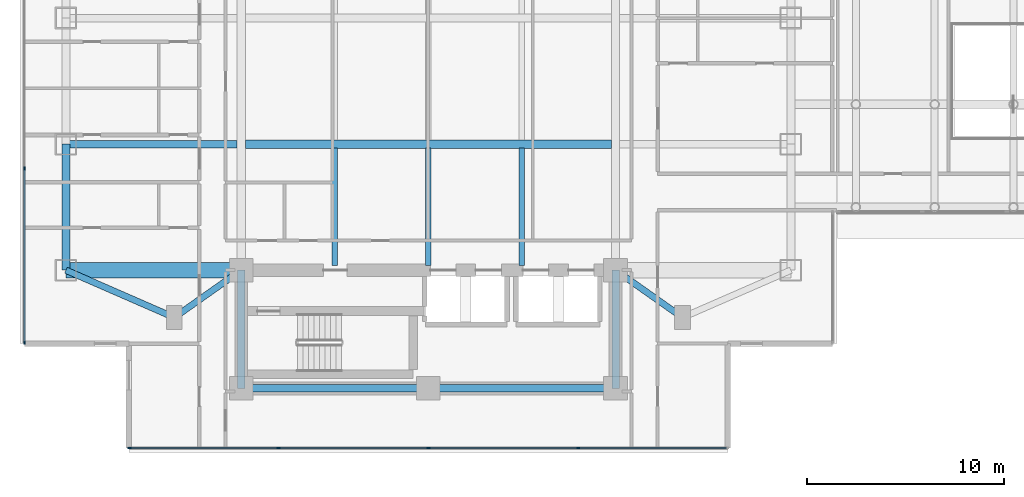
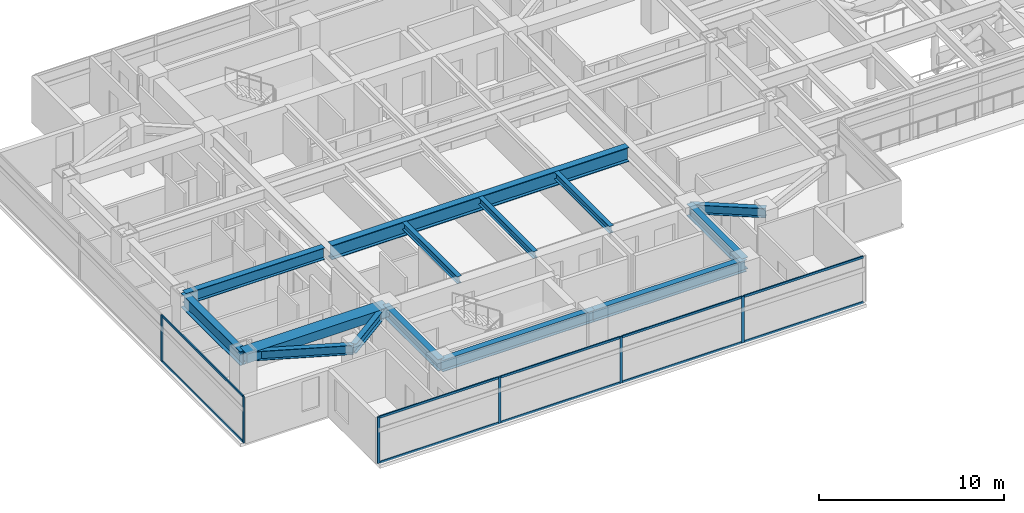
# One storey, part 2 of 28: 16 members, 14 beams, 2 elements without a shape of their own.
"""IFC4 building model written with IfcOpenShell, lengths in metres."""

from ifc_helpers import new_model, si_unit, direction, frame, origin, origin_2d, place, context, subcontext, project, spatial, rectangle, i_section, extrude, material, material_profile, profile_set, type_object, element, aggregate, save


model = new_model("IFC4")

# Units and contexts
model_context = context("Model", 3, precision=1e-05, world=origin(), true_north=direction((0.0, 1.0)))
body_context = subcontext(model_context, "Body", "Model", "MODEL_VIEW")
ifc_project = project(units=[si_unit("LENGTHUNIT", "METRE"), si_unit("AREAUNIT", "SQUARE_METRE"), si_unit("VOLUMEUNIT", "CUBIC_METRE"), si_unit("PLANEANGLEUNIT", "RADIAN"), si_unit("MASSUNIT", "GRAM", prefix="KILO")], contexts=[model_context])

# Site, building, storey
site_placement = place(None, origin())
site = spatial("IfcSite", under=ifc_project, at=site_placement, CompositionType="ELEMENT")
building_placement = place(site_placement, origin())
building = spatial("IfcBuilding", under=site, at=building_placement, Name="Mirazonda Arch Towers", CompositionType="ELEMENT")
storey_placement = place(building_placement, frame((0.0, 0.0, 91.699951171875)))
storey = spatial("IfcBuildingStorey", under=building, at=storey_placement, Name="L25", CompositionType="ELEMENT", Elevation=91.699951171875)

# Beams
ifc_material_1 = material(Name="Steel ASTM A992 Grade 50", Category="steel")
ifc_material_profile_1 = material_profile(ifc_material_1, i_section(OverallWidth=0.41796875, OverallDepth=0.927001953125, WebThickness=0.019287109375, FlangeThickness=0.031982421875, at=origin_2d()), Name="W36X231")
ifc_profile_set_1 = profile_set([ifc_material_profile_1], Name="Steel ASTM A992 Grade 50")
beam_type_1 = type_object("IfcBeamType", Name="BM-EXT-W36X231", PredefinedType="USERDEFINED", material=ifc_profile_set_1)
beam_1_placement = place(storey_placement, frame((2.10009765625, 18.39990234375, 2.616455078125), z_axis=(0.0, 1.0, 0.0), x_axis=(-1.0, 0.0, 0.0)))
element("IfcBeam", 1, at=beam_1_placement, inside=storey, type_object=beam_type_1, Name="L25 Floor Beam BM-T1-L25-NS-W-18", ObjectType="GIRDER", PredefinedType="USERDEFINED", context=body_context, shape_type="SweptSolid", body=[
    extrude(i_section(OverallWidth=0.41796875, OverallDepth=0.927001953125, WebThickness=0.019287109375, FlangeThickness=0.031982421875, at=origin_2d()), origin(), (0.0, 0.0, 1.0), 6.400146484375),
])
ifc_material_profile_2 = material_profile(ifc_material_1, i_section(OverallWidth=0.280029296875, OverallDepth=0.462890625, WebThickness=0.0107421875, FlangeThickness=0.017333984375, at=origin_2d()), Name="W18X76")
ifc_profile_set_2 = profile_set([ifc_material_profile_2], Name="Steel ASTM A992 Grade 50")
beam_type_2 = type_object("IfcBeamType", Name="BM-INT-W18X76", PredefinedType="JOIST", material=ifc_profile_set_2)
for number, where, z_axis, x_axis, name in (
    (2, (15.75, 18.639892578125, 2.8486328125), (0.0, 1.0, 0.0), (-1.0, 0.0, 0.0), "L25 Floor Beam BM-T1-L25-J-157-18"),
    (3, (20.5, 18.639892578125, 2.8486328125), (0.0, 1.0, 0.0), (-1.0, 0.0, 0.0), "L25 Floor Beam BM-T1-L25-J-205-18"),
    (4, (25.25, 18.639892578125, 2.8486328125), (0.0, 1.0, 0.0), (-1.0, 0.0, 0.0), "L25 Floor Beam BM-T1-L25-J-252-18"),
):
    element("IfcBeam", number, at=place(storey_placement, frame(where, z_axis=z_axis, x_axis=x_axis)), inside=storey, type_object=beam_type_2, Name=name, PredefinedType="JOIST", context=body_context, shape_type="SweptSolid", body=[
        extrude(i_section(OverallWidth=0.280029296875, OverallDepth=0.462890625, WebThickness=0.0107421875, FlangeThickness=0.017333984375, at=origin_2d()), origin(), (0.0, 0.0, 1.0), 5.95263671875),
    ])
ifc_material_profile_3 = material_profile(ifc_material_1, i_section(OverallWidth=0.324951171875, OverallDepth=0.615966796875, WebThickness=0.013916015625, FlangeThickness=0.021484375, at=origin_2d()), Name="W24X117")
ifc_profile_set_3 = profile_set([ifc_material_profile_3], Name="Steel ASTM A992 Grade 50")
beam_type_3 = type_object("IfcBeamType", Name="BM-INT-W24X117", PredefinedType="BEAM", material=ifc_profile_set_3)
beam_2_placement = place(storey_placement, frame((7.60009765625, 16.0, 2.77197265625), z_axis=(0.816971114901, 0.576678591087, 0.0), x_axis=(-0.576678591087, 0.816971114901, 0.0)))
element("IfcBeam", 5, at=beam_2_placement, inside=storey, type_object=beam_type_3, Name="L25 Floor Beam BM-T1-L25-PL-SW1", PredefinedType="BEAM", context=body_context, shape_type="SweptSolid", body=[
    extrude(i_section(OverallWidth=0.324951171875, OverallDepth=0.615966796875, WebThickness=0.013916015625, FlangeThickness=0.021484375, at=origin_2d()), origin(), (0.0, 0.0, 1.0), 4.16162109375),
])
beam_3_placement = place(storey_placement, frame((7.60009765625, 16.0, 2.77197265625), z_axis=(-0.916545343703, 0.399930785183, 0.0), x_axis=(-0.399930785183, -0.916545343703, 0.0)))
element("IfcBeam", 6, at=beam_3_placement, inside=storey, type_object=beam_type_3, Name="L25 Floor Beam BM-T1-L25-PL-SW2", PredefinedType="BEAM", context=body_context, shape_type="SweptSolid", body=[
    extrude(i_section(OverallWidth=0.324951171875, OverallDepth=0.615966796875, WebThickness=0.013916015625, FlangeThickness=0.021484375, at=origin_2d()), origin(), (0.0, 0.0, 1.0), 6.000732421875),
])
beam_4_placement = place(storey_placement, frame((33.39990234375, 16.0, 2.77197265625), z_axis=(-0.816971114901, 0.576678591087, 0.0), x_axis=(-0.576678591087, -0.816971114901, 0.0)))
element("IfcBeam", 7, at=beam_4_placement, inside=storey, type_object=beam_type_3, Name="L25 Floor Beam BM-T1-L25-PL-SE1", PredefinedType="BEAM", context=body_context, shape_type="SweptSolid", body=[
    extrude(i_section(OverallWidth=0.324951171875, OverallDepth=0.615966796875, WebThickness=0.013916015625, FlangeThickness=0.021484375, at=origin_2d()), origin(), (0.0, 0.0, 1.0), 4.16162109375),
])
ifc_material_profile_4 = material_profile(ifc_material_1, i_section(OverallWidth=0.381103515625, OverallDepth=0.77294921875, WebThickness=0.0166015625, FlangeThickness=0.027099609375, at=origin_2d()), Name="W30X173")
ifc_profile_set_4 = profile_set([ifc_material_profile_4], Name="Steel ASTM A992 Grade 50")
beam_type_4 = type_object("IfcBeamType", Name="BM-INT-W30X173", PredefinedType="USERDEFINED", material=ifc_profile_set_4)
beam_5_placement = place(storey_placement, frame((2.10009765625, 24.800048828125, 2.693603515625), z_axis=(1.0, 0.0, 0.0), x_axis=(0.0, 1.0, 0.0)))
element("IfcBeam", 8, at=beam_5_placement, inside=storey, type_object=beam_type_4, Name="L25 Floor Beam BM-T1-L25-GW2", ObjectType="GIRDER", PredefinedType="USERDEFINED", context=body_context, shape_type="SweptSolid", body=[
    extrude(i_section(OverallWidth=0.381103515625, OverallDepth=0.77294921875, WebThickness=0.0166015625, FlangeThickness=0.027099609375, at=origin_2d()), origin(), (0.0, 0.0, 1.0), 8.6884765625),
])
for number, where, z_axis, x_axis, name in (
    (9, (11.0, 12.39990234375, 2.693603515625), (1.0, 0.0, 0.0), (0.0, 1.0, 0.0), "L25 Floor Beam BM-T1-L25-CS1"),
    (10, (20.5, 12.39990234375, 2.693603515625), (1.0, 0.0, 0.0), (0.0, 1.0, 0.0), "L25 Floor Beam BM-T1-L25-CS2"),
):
    element("IfcBeam", number, at=place(storey_placement, frame(where, z_axis=z_axis, x_axis=x_axis)), inside=storey, type_object=beam_type_4, Name=name, ObjectType="GIRDER", PredefinedType="USERDEFINED", context=body_context, shape_type="SweptSolid", body=[
        extrude(i_section(OverallWidth=0.381103515625, OverallDepth=0.77294921875, WebThickness=0.0166015625, FlangeThickness=0.027099609375, at=origin_2d()), origin(), (0.0, 0.0, 1.0), 9.5),
    ])
for number, where, z_axis, x_axis, name in (
    (11, (11.0, 12.39990234375, 2.693603515625), (0.0, 1.0, 0.0), (-1.0, 0.0, 0.0), "L25 Floor Beam BM-T1-L25-CSW"),
    (12, (30.0, 12.39990234375, 2.693603515625), (0.0, 1.0, 0.0), (-1.0, 0.0, 0.0), "L25 Floor Beam BM-T1-L25-CSE"),
):
    element("IfcBeam", number, at=place(storey_placement, frame(where, z_axis=z_axis, x_axis=x_axis)), inside=storey, type_object=beam_type_4, Name=name, ObjectType="GIRDER", PredefinedType="USERDEFINED", context=body_context, shape_type="SweptSolid", body=[
        extrude(i_section(OverallWidth=0.381103515625, OverallDepth=0.77294921875, WebThickness=0.0166015625, FlangeThickness=0.027099609375, at=origin_2d()), origin(), (0.0, 0.0, 1.0), 6.0),
    ])
ifc_material_profile_5 = material_profile(ifc_material_1, i_section(OverallWidth=0.423095703125, OverallDepth=0.947998046875, WebThickness=0.02392578125, FlangeThickness=0.042724609375, at=origin_2d()), Name="W36X302")
ifc_profile_set_5 = profile_set([ifc_material_profile_5], Name="Steel ASTM A992 Grade 50")
beam_type_5 = type_object("IfcBeamType", Name="BM-INT-W36X302", PredefinedType="USERDEFINED", material=ifc_profile_set_5)
beam_6_placement = place(storey_placement, frame((11.21142578125, 24.800048828125, 2.60595703125), z_axis=(1.0, 0.0, 0.0), x_axis=(0.0, 1.0, 0.0)))
element("IfcBeam", 13, at=beam_6_placement, inside=storey, type_object=beam_type_5, Name="L25 Floor Beam BM-T1-L25-GC2", ObjectType="GIRDER", PredefinedType="USERDEFINED", context=body_context, shape_type="SweptSolid", body=[
    extrude(i_section(OverallWidth=0.423095703125, OverallDepth=0.947998046875, WebThickness=0.02392578125, FlangeThickness=0.042724609375, at=origin_2d()), origin(), (0.0, 0.0, 1.0), 18.5771484375),
])
ifc_material_2 = material(Name="Concrete C60/75", Category="concrete")
ifc_material_profile_6 = material_profile(ifc_material_2, rectangle(XDim=0.800048828125, YDim=0.60009765625, at=origin_2d()), Name="RCCB800x600")
ifc_profile_set_6 = profile_set([ifc_material_profile_6], Name="Concrete C60/75")
beam_type_6 = type_object("IfcBeamType", Name="CB-INT-RCCB800x600", PredefinedType="SPANDREL", material=ifc_profile_set_6)
beam_7_placement = place(storey_placement, frame((2.10009765625, 18.39990234375, 2.780029296875), z_axis=(1.0, 0.0, 0.0), x_axis=(0.0, 1.0, 0.0)))
element("IfcBeam", 14, at=beam_7_placement, inside=storey, type_object=beam_type_6, Name="L25 Floor Beam CBC-T1-L25-SW", PredefinedType="SPANDREL", context=body_context, shape_type="SweptSolid", body=[
    extrude(rectangle(XDim=0.800048828125, YDim=0.60009765625, at=origin_2d()), origin(), (0.0, 0.0, 1.0), 8.89990234375),
])

# Curtain wall, members
ifc_material_3 = material(Name="Anodised Aluminium and Low-E Glass", Category="aluminium")
curtain_wall_type = type_object("IfcCurtainWallType", Name="CW-HTL-UNIT", PredefinedType="NOTDEFINED", material=ifc_material_3)
curtain_wall_1_placement = place(storey_placement, origin())
curtain_wall_1 = element("IfcCurtainWall", 15, at=curtain_wall_1_placement, inside=storey, type_object=curtain_wall_type, Name="L25 T1 S Facade CW-L25-T1-S", PredefinedType="NOTDEFINED")
ifc_material_4 = material(Name="Anodised Aluminium Alloy", Category="aluminium")
ifc_material_profile_7 = material_profile(ifc_material_4, rectangle(XDim=0.074951171875, YDim=0.1650390625, at=origin_2d()), Name="ALU-MULL-75x165")
ifc_profile_set_7 = profile_set([ifc_material_profile_7], Name="Anodised Aluminium Alloy")
member_type_1 = type_object("IfcMemberType", Name="MULL-CW-HTL-UNIT", PredefinedType="MULLION", material=ifc_profile_set_7)
member_1_placement = place(storey_placement, frame((28.1025390625, 9.3720703125, 0.0), z_axis=(0.0, 0.0, 1.0), x_axis=(0.0, -1.0, 0.0)))
member_1 = element("IfcMember", 16, at=member_1_placement, type_object=member_type_1, Name="CW-112 mullion 2", PredefinedType="MULLION", context=body_context, shape_type="SweptSolid", body=[
    extrude(rectangle(XDim=0.074951171875, YDim=0.1650390625, at=origin_2d()), origin(), (0.0, 0.0, 1.0), 3.06005859375),
])
member_2_placement = place(storey_placement, frame((20.5, 9.3720703125, 0.0), z_axis=(0.0, 0.0, 1.0), x_axis=(0.0, -1.0, 0.0)))
member_2 = element("IfcMember", 17, at=member_2_placement, type_object=member_type_1, Name="CW-112 mullion 3", PredefinedType="MULLION", context=body_context, shape_type="SweptSolid", body=[
    extrude(rectangle(XDim=0.074951171875, YDim=0.1650390625, at=origin_2d()), origin(), (0.0, 0.0, 1.0), 3.06005859375),
])
member_3_placement = place(storey_placement, frame((12.8974609375, 9.3720703125, 0.0), z_axis=(0.0, 0.0, 1.0), x_axis=(0.0, -1.0, 0.0)))
member_3 = element("IfcMember", 18, at=member_3_placement, type_object=member_type_1, Name="CW-112 mullion 4", PredefinedType="MULLION", context=body_context, shape_type="SweptSolid", body=[
    extrude(rectangle(XDim=0.074951171875, YDim=0.1650390625, at=origin_2d()), origin(), (0.0, 0.0, 1.0), 3.06005859375),
])
member_4_placement = place(storey_placement, frame((5.33251953125, 9.3720703125, 0.0), z_axis=(0.0, 0.0, 1.0), x_axis=(0.0, -1.0, 0.0)))
member_4 = element("IfcMember", 19, at=member_4_placement, type_object=member_type_1, Name="CW-112 mullion 5", PredefinedType="MULLION", context=body_context, shape_type="SweptSolid", body=[
    extrude(rectangle(XDim=0.074951171875, YDim=0.1650390625, at=origin_2d()), origin(), (0.0, 0.0, 1.0), 3.06005859375),
])

curtain_wall_2_placement = place(storey_placement, origin())
curtain_wall_2 = element("IfcCurtainWall", 20, at=curtain_wall_2_placement, inside=storey, type_object=curtain_wall_type, Name="L25 T1 W Facade CW-L25-T1-W", PredefinedType="NOTDEFINED")
member_5_placement = place(storey_placement, frame((-0.010009765625, 23.55908203125, 0.0), z_axis=(0.0, 0.0, 1.0), x_axis=(1.0, 0.0, 0.0)))
member_5 = element("IfcMember", 21, at=member_5_placement, type_object=member_type_1, Name="CW-112 mullion 3", PredefinedType="MULLION", context=body_context, shape_type="SweptSolid", body=[
    extrude(rectangle(XDim=0.074951171875, YDim=0.1650390625, at=origin_2d()), origin(), (0.0, 0.0, 1.0), 3.06005859375),
])
member_6_placement = place(storey_placement, frame((-0.010009765625, 14.714599609375, 0.0), z_axis=(0.0, 0.0, 1.0), x_axis=(1.0, 0.0, 0.0)))
member_6 = element("IfcMember", 22, at=member_6_placement, type_object=member_type_1, Name="CW-112 mullion 4", PredefinedType="MULLION", context=body_context, shape_type="SweptSolid", body=[
    extrude(rectangle(XDim=0.074951171875, YDim=0.1650390625, at=origin_2d()), origin(), (0.0, 0.0, 1.0), 3.06005859375),
])

# Member
ifc_material_profile_8 = material_profile(ifc_material_4, rectangle(XDim=0.074951171875, YDim=0.14501953125, at=origin_2d()), Name="ALU-TRAN-75x145")
ifc_profile_set_8 = profile_set([ifc_material_profile_8], Name="Anodised Aluminium Alloy")
member_type_2 = type_object("IfcMemberType", Name="TRAN-CW-HTL-UNIT", PredefinedType="USERDEFINED", material=ifc_profile_set_8)
member_7_placement = place(storey_placement, frame((35.6298828125, 9.3720703125, 0.03759765625), z_axis=(-1.0, 0.0, 0.0), x_axis=(0.0, -1.0, 0.0)))
member_7 = element("IfcMember", 23, at=member_7_placement, type_object=member_type_2, Name="CW-112 transom 1.1", ObjectType="TRANSOM", PredefinedType="USERDEFINED", context=body_context, shape_type="SweptSolid", body=[
    extrude(rectangle(XDim=0.074951171875, YDim=0.14501953125, at=origin_2d()), origin(), (0.0, 0.0, 1.0), 7.489990234375),
])

member_8_placement = place(storey_placement, frame((35.6298828125, 9.3720703125, 3.0224609375), z_axis=(-1.0, 0.0, 0.0), x_axis=(0.0, -1.0, 0.0)))
member_8 = element("IfcMember", 24, at=member_8_placement, type_object=member_type_2, Name="CW-112 transom 1.2", ObjectType="TRANSOM", PredefinedType="USERDEFINED", context=body_context, shape_type="SweptSolid", body=[
    extrude(rectangle(XDim=0.074951171875, YDim=0.14501953125, at=origin_2d()), origin(), (0.0, 0.0, 1.0), 7.489990234375),
])

member_9_placement = place(storey_placement, frame((28.06494140625, 9.3720703125, 0.03759765625), z_axis=(-1.0, 0.0, 0.0), x_axis=(0.0, -1.0, 0.0)))
member_9 = element("IfcMember", 25, at=member_9_placement, type_object=member_type_2, Name="CW-112 transom 2.1", ObjectType="TRANSOM", PredefinedType="USERDEFINED", context=body_context, shape_type="SweptSolid", body=[
    extrude(rectangle(XDim=0.074951171875, YDim=0.14501953125, at=origin_2d()), origin(), (0.0, 0.0, 1.0), 7.52734375),
])

member_10_placement = place(storey_placement, frame((28.06494140625, 9.3720703125, 3.0224609375), z_axis=(-1.0, 0.0, 0.0), x_axis=(0.0, -1.0, 0.0)))
member_10 = element("IfcMember", 26, at=member_10_placement, type_object=member_type_2, Name="CW-112 transom 2.2", ObjectType="TRANSOM", PredefinedType="USERDEFINED", context=body_context, shape_type="SweptSolid", body=[
    extrude(rectangle(XDim=0.074951171875, YDim=0.14501953125, at=origin_2d()), origin(), (0.0, 0.0, 1.0), 7.52734375),
])

member_11_placement = place(storey_placement, frame((20.46240234375, 9.3720703125, 0.03759765625), z_axis=(-1.0, 0.0, 0.0), x_axis=(0.0, -1.0, 0.0)))
member_11 = element("IfcMember", 27, at=member_11_placement, type_object=member_type_2, Name="CW-112 transom 3.1", ObjectType="TRANSOM", PredefinedType="USERDEFINED", context=body_context, shape_type="SweptSolid", body=[
    extrude(rectangle(XDim=0.074951171875, YDim=0.14501953125, at=origin_2d()), origin(), (0.0, 0.0, 1.0), 7.52734375),
])

member_12_placement = place(storey_placement, frame((20.46240234375, 9.3720703125, 3.0224609375), z_axis=(-1.0, 0.0, 0.0), x_axis=(0.0, -1.0, 0.0)))
member_12 = element("IfcMember", 28, at=member_12_placement, type_object=member_type_2, Name="CW-112 transom 3.2", ObjectType="TRANSOM", PredefinedType="USERDEFINED", context=body_context, shape_type="SweptSolid", body=[
    extrude(rectangle(XDim=0.074951171875, YDim=0.14501953125, at=origin_2d()), origin(), (0.0, 0.0, 1.0), 7.52734375),
])

member_13_placement = place(storey_placement, frame((12.860107421875, 9.3720703125, 0.03759765625), z_axis=(-1.0, 0.0, 0.0), x_axis=(0.0, -1.0, 0.0)))
member_13 = element("IfcMember", 29, at=member_13_placement, type_object=member_type_2, Name="CW-112 transom 4.1", ObjectType="TRANSOM", PredefinedType="USERDEFINED", context=body_context, shape_type="SweptSolid", body=[
    extrude(rectangle(XDim=0.074951171875, YDim=0.14501953125, at=origin_2d()), origin(), (0.0, 0.0, 1.0), 7.489990234375),
])

member_14_placement = place(storey_placement, frame((12.860107421875, 9.3720703125, 3.0224609375), z_axis=(-1.0, 0.0, 0.0), x_axis=(0.0, -1.0, 0.0)))
member_14 = element("IfcMember", 30, at=member_14_placement, type_object=member_type_2, Name="CW-112 transom 4.2", ObjectType="TRANSOM", PredefinedType="USERDEFINED", context=body_context, shape_type="SweptSolid", body=[
    extrude(rectangle(XDim=0.074951171875, YDim=0.14501953125, at=origin_2d()), origin(), (0.0, 0.0, 1.0), 7.489990234375),
])

aggregate(curtain_wall_1, [member_1, member_2, member_3, member_4, member_7, member_8, member_9, member_10, member_11, member_12, member_13, member_14])

member_15_placement = place(storey_placement, frame((-0.010009765625, 23.521484375, 0.03759765625), z_axis=(0.0, -1.0, 0.0), x_axis=(1.0, 0.0, 0.0)))
member_15 = element("IfcMember", 31, at=member_15_placement, type_object=member_type_2, Name="CW-112 transom 3.1", ObjectType="TRANSOM", PredefinedType="USERDEFINED", context=body_context, shape_type="SweptSolid", body=[
    extrude(rectangle(XDim=0.074951171875, YDim=0.14501953125, at=origin_2d()), origin(), (0.0, 0.0, 1.0), 8.76953125),
])

member_16_placement = place(storey_placement, frame((-0.010009765625, 23.521484375, 3.0224609375), z_axis=(0.0, -1.0, 0.0), x_axis=(1.0, 0.0, 0.0)))
member_16 = element("IfcMember", 32, at=member_16_placement, type_object=member_type_2, Name="CW-112 transom 3.2", ObjectType="TRANSOM", PredefinedType="USERDEFINED", context=body_context, shape_type="SweptSolid", body=[
    extrude(rectangle(XDim=0.074951171875, YDim=0.14501953125, at=origin_2d()), origin(), (0.0, 0.0, 1.0), 8.76953125),
])

aggregate(curtain_wall_2, [member_5, member_6, member_15, member_16])

save(model, "model.ifc")
